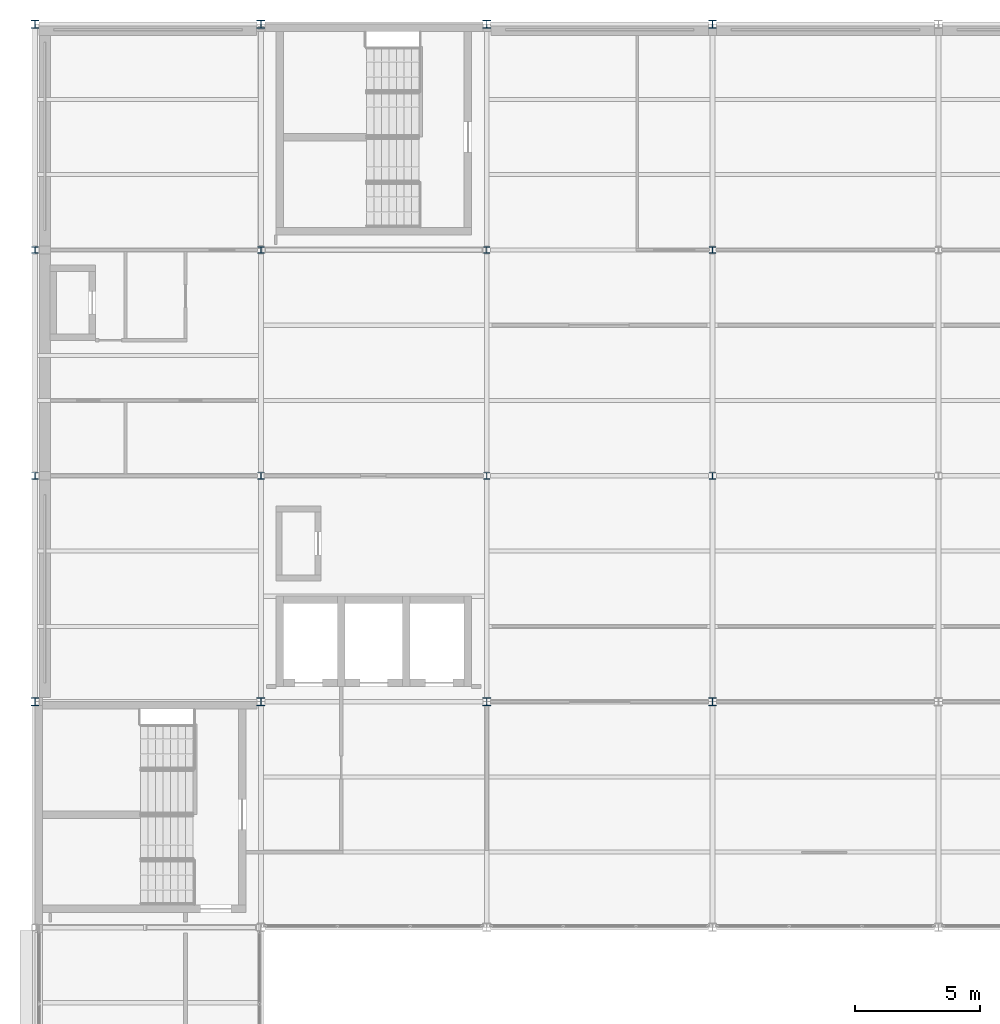
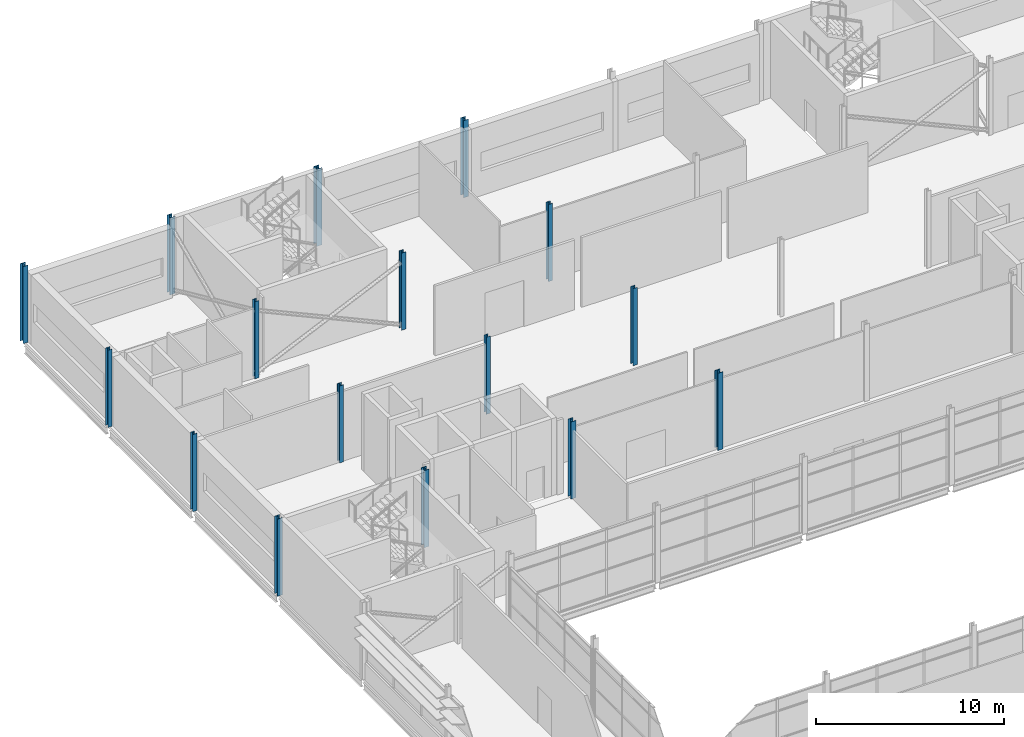
# One storey, part 5 of 61: 16 columns.
"""IFC4 building model written with IfcOpenShell, lengths in metres."""

import ifcopenshell
import ifcopenshell.guid

model = None  # the IFC model being written
_history = None  # IfcOwnerHistory: only IFC2X3 demands one
_inside = {}  # id of a spatial element -> (the spatial element, [elements in it])
_under = {}  # id of a project, library or spatial element -> (it, [spatial elements below it])
_declared = {}  # id of a project -> (the project, [libraries it declares])
_typed = {}  # id of a type object -> (the type object, [elements of that type])
_made_of = {}  # id of a material, layer set ... -> (it, [elements and type objects made of it])


def new_model(schema):
    """Start an empty IFC model of exactly this schema.

    Asked for "IFC4X3", IfcOpenShell would pick the latest addendum, in which some entities
    have other attributes; the version numbers below select the first issue.
    IFC2X3 requires an IfcOwnerHistory on every rooted entity: one is made here for all.
    """
    global model, _history
    if schema == "IFC4X3":
        model = ifcopenshell.file(schema_version=(4, 3, 0, 0))
    else:
        model = ifcopenshell.file(schema=schema)
    _inside.clear()
    _under.clear()
    _declared.clear()
    _typed.clear()
    _made_of.clear()
    _history = None
    if model.schema == "IFC2X3":
        org = make("IfcOrganization", Name="unknown")
        user = make(
            "IfcPersonAndOrganization",
            ThePerson=make("IfcPerson", FamilyName="unknown"),
            TheOrganization=org,
        )
        app = make(
            "IfcApplication",
            ApplicationDeveloper=org,
            Version="unknown",
            ApplicationFullName="unknown",
            ApplicationIdentifier="unknown",
        )
        _history = make(
            "IfcOwnerHistory",
            OwningUser=user,
            OwningApplication=app,
            ChangeAction="ADDED",
            CreationDate=0,
        )
    return model


def make(cls, **values):
    """One entity of the class cls with the attributes given. An attribute that is None is left unset."""
    return model.create_entity(
        cls, **{name: value for name, value in values.items() if value is not None}
    )


def rooted(cls, **values):
    """An entity with a GlobalId (a new one), such as an element, a storey or a relation."""
    return make(cls, GlobalId=ifcopenshell.guid.new(), OwnerHistory=_history, **values)


def si_unit(unit_type, name, prefix=None):
    """IfcSIUnit, for example si_unit("LENGTHUNIT", "METRE", prefix="MILLI")."""
    return make("IfcSIUnit", UnitType=unit_type, Prefix=prefix, Name=name)


def assignment(units):
    """IfcUnitAssignment: the units of a project."""
    return None if units is None else make("IfcUnitAssignment", Units=units)


def point(xyz):
    """IfcCartesianPoint."""
    return None if xyz is None else make("IfcCartesianPoint", Coordinates=xyz)


def direction(xyz):
    """IfcDirection."""
    return None if xyz is None else make("IfcDirection", DirectionRatios=xyz)


def frame(location, z_axis=None, x_axis=None):
    """IfcAxis2Placement3D, a coordinate frame: its origin and axes. An axis left out is left unset."""
    return make(
        "IfcAxis2Placement3D",
        Location=point(location),
        Axis=direction(z_axis),
        RefDirection=direction(x_axis),
    )


def frame_2d(location, x_axis=None):
    """IfcAxis2Placement2D, a coordinate frame in the plane: its origin and x axis."""
    return make(
        "IfcAxis2Placement2D", Location=point(location), RefDirection=direction(x_axis)
    )


def origin():
    """The frame at (0, 0, 0) with its axes left unset."""
    return frame((0.0, 0.0, 0.0))


def origin_2d():
    """The frame at (0, 0) in the plane with its x axis left unset."""
    return frame_2d((0.0, 0.0))


def place(relative_to, where):
    """IfcLocalPlacement: puts the frame where relative to a parent placement (None: the world)."""
    return make(
        "IfcLocalPlacement", PlacementRelTo=relative_to, RelativePlacement=where
    )


def context(
    kind, dimensions, precision=None, world=None, true_north=None, identifier=None
):
    """IfcGeometricRepresentationContext, for example the 3D "Model" context."""
    return make(
        "IfcGeometricRepresentationContext",
        ContextIdentifier=identifier,
        ContextType=kind,
        CoordinateSpaceDimension=dimensions,
        Precision=precision,
        WorldCoordinateSystem=world,
        TrueNorth=true_north,
    )


def subcontext(parent, identifier, kind, view, scale=None):
    """IfcGeometricRepresentationSubContext, for example "Body" below "Model"."""
    return make(
        "IfcGeometricRepresentationSubContext",
        ContextIdentifier=identifier,
        ContextType=kind,
        ParentContext=parent,
        TargetScale=scale,
        TargetView=view,
    )


def project(units=None, contexts=None):
    """IfcProject with its units and contexts."""
    return rooted(
        "IfcProject",
        Name="project",
        RepresentationContexts=contexts,
        UnitsInContext=assignment(units),
    )


def spatial(cls, under=None, at=None, **own):
    """A site, building, storey or space (cls), placed at a placement, below another one or the project."""
    s = rooted(cls, ObjectPlacement=at, **own)
    if under is not None:
        _under.setdefault(under.id(), (under, []))[1].append(s)
    return s


def profile(cls, at=None, kind="AREA", **sizes):
    """A parametric profile (cls). Its sizes go by their IFC names, for example OverallWidth=200.0."""
    return make(cls, ProfileType=kind, Position=at, **sizes)


def i_section(**sizes):
    """IfcIShapeProfileDef."""
    return profile("IfcIShapeProfileDef", **sizes)


def extrude(swept, where, along, depth):
    """IfcExtrudedAreaSolid: the profile swept, set in the frame where, extruded along a direction by depth."""
    return make(
        "IfcExtrudedAreaSolid",
        SweptArea=swept,
        Position=where,
        ExtrudedDirection=direction(along),
        Depth=depth,
    )


def shape(context_of_items, identifier, shape_type, items):
    """IfcShapeRepresentation: the items that make up one representation, for example the "Body"."""
    return make(
        "IfcShapeRepresentation",
        ContextOfItems=context_of_items,
        RepresentationIdentifier=identifier,
        RepresentationType=shape_type,
        Items=items,
    )


def material(Name=None, Category=None):
    """IfcMaterial."""
    return make("IfcMaterial", Name=Name, Category=Category)


def material_profile(
    of_material, cross_section, Name=None, Category=None, Priority=None
):
    """IfcMaterialProfile: a cross section and its material."""
    return make(
        "IfcMaterialProfile",
        Name=Name,
        Material=of_material,
        Profile=cross_section,
        Priority=Priority,
        Category=Category,
    )


def profile_set(profiles, Name=None, composite=None):
    """IfcMaterialProfileSet."""
    return make(
        "IfcMaterialProfileSet",
        Name=Name,
        MaterialProfiles=profiles,
        CompositeProfile=composite,
    )


def made_of(thing, what):
    """Note that an element or type object is made of a material, layer set ...; save() writes the relation."""
    if what is not None:
        _made_of.setdefault(what.id(), (what, []))[1].append(thing)
    return thing


def type_object(cls, material=None, **own):
    """A type object (cls), such as IfcWallType, which elements share."""
    return made_of(rooted(cls, **own), material)


def element(
    cls,
    number,
    at=None,
    inside=None,
    cuts=None,
    type_object=None,
    material=None,
    context=None,
    identifier="Body",
    shape_type=None,
    held_by="IfcProductDefinitionShape",
    body=None,
    shapes=None,
    **own,
):
    """One element of the class cls, such as IfcWall. Its Tag is "e" and its number.

    at: its placement. inside: the storey or other place that contains it. cuts: it is an
    opening in that element (IfcRelVoidsElement). A single representation is given by context,
    identifier, shape_type and body (its items); several are given by shapes. held_by: the class
    of the entity that holds the representations. save() writes the other relations.
    """
    e = rooted(cls, Tag="e%d" % number, ObjectPlacement=at, **own)
    if body is not None:
        shapes = [shape(context, identifier, shape_type, body)]
    if shapes is not None:
        e.Representation = make(held_by, Representations=shapes)
    if inside is not None:
        _inside.setdefault(inside.id(), (inside, []))[1].append(e)
    if cuts is not None:
        rooted(
            "IfcRelVoidsElement", RelatingBuildingElement=cuts, RelatedOpeningElement=e
        )
    if type_object is not None:
        _typed.setdefault(type_object.id(), (type_object, []))[1].append(e)
    return made_of(e, material)


def aggregate(whole, parts):
    """IfcRelAggregates: a whole, such as a stair, and the parts it consists of."""
    return rooted("IfcRelAggregates", RelatingObject=whole, RelatedObjects=parts)


def save(model, path):
    """Write the relations noted so far, then the file.

    IfcRelAggregates (storeys below a building ...), IfcRelContainedInSpatialStructure (elements
    in a storey), IfcRelDefinesByType, IfcRelAssociatesMaterial and IfcRelDeclares: one each for
    every whole, place, type object, material and project.
    """
    for whole, parts in _under.values():
        aggregate(whole, parts)
    for where, things in _inside.values():
        rooted(
            "IfcRelContainedInSpatialStructure",
            RelatedElements=things,
            RelatingStructure=where,
        )
    for kind, things in _typed.values():
        rooted("IfcRelDefinesByType", RelatedObjects=things, RelatingType=kind)
    for what, things in _made_of.values():
        rooted("IfcRelAssociatesMaterial", RelatedObjects=things, RelatingMaterial=what)
    for by, libraries in _declared.values():
        rooted("IfcRelDeclares", RelatingContext=by, RelatedDefinitions=libraries)
    model.write(path)


model = new_model("IFC4")

# Units and contexts
model_context = context("Model", 3, precision=1e-05, world=origin(), true_north=direction((0.0, 1.0)))
body_context = subcontext(model_context, "Body", "Model", "MODEL_VIEW")
ifc_project = project(units=[si_unit("LENGTHUNIT", "METRE"), si_unit("AREAUNIT", "SQUARE_METRE"), si_unit("VOLUMEUNIT", "CUBIC_METRE"), si_unit("PLANEANGLEUNIT", "RADIAN"), si_unit("MASSUNIT", "GRAM", prefix="KILO")], contexts=[model_context])

# Site, building, storey
site_placement = place(None, origin())
site = spatial("IfcSite", under=ifc_project, at=site_placement, CompositionType="ELEMENT")
building_placement = place(site_placement, origin())
building = spatial("IfcBuilding", under=site, at=building_placement, Name="Shorebreak Coast Museum", CompositionType="ELEMENT")
storey_placement = place(building_placement, frame((0.0, 0.0, 26.0)))
storey = spatial("IfcBuildingStorey", under=building, at=storey_placement, Name="L04", CompositionType="ELEMENT", Elevation=26.0)

# Columns
ifc_material_1 = material(Name="Steel Grade 300", Category="steel")
ifc_material_profile_1 = material_profile(ifc_material_1, i_section(OverallWidth=0.256103515625, OverallDepth=0.260009765625, WebThickness=0.010498046875, FlangeThickness=0.017333984375, FilletRadius=0.013916015625, at=origin_2d()), Name="250UC89.5")
ifc_profile_set_1 = profile_set([ifc_material_profile_1], Name="Steel Grade 300")
column_type_1 = type_object("IfcColumnType", Name="Column 250UC89.5", PredefinedType="COLUMN", material=ifc_profile_set_1)
for number, where, z_axis, x_axis, name in (
    (1, (54.0, 99.0, 0.0), (0.0, 0.0, 1.0), (1.0, 0.0, 0.0), "Column L04 7M"),
    (2, (63.0, 99.0, 0.0), (0.0, 0.0, 1.0), (1.0, 0.0, 0.0), "Column L04 8M"),
    (3, (72.0, 99.0, 0.0), (0.0, 0.0, 1.0), (1.0, 0.0, 0.0), "Column L04 9M"),
    (4, (81.0, 99.0, 0.0), (0.0, 0.0, 1.0), (1.0, 0.0, 0.0), "Column L04 10M"),
    (5, (54.0, 108.0, 0.0), (0.0, 0.0, 1.0), (1.0, 0.0, 0.0), "Column L04 7N"),
    (6, (63.0, 108.0, 0.0), (0.0, 0.0, 1.0), (1.0, 0.0, 0.0), "Column L04 8N"),
    (7, (72.0, 108.0, 0.0), (0.0, 0.0, 1.0), (1.0, 0.0, 0.0), "Column L04 9N"),
    (8, (81.0, 108.0, 0.0), (0.0, 0.0, 1.0), (1.0, 0.0, 0.0), "Column L04 10N"),
):
    element("IfcColumn", number, at=place(storey_placement, frame(where, z_axis=z_axis, x_axis=x_axis)), inside=storey, type_object=column_type_1, Name=name, PredefinedType="COLUMN", context=body_context, shape_type="SweptSolid", body=[
        extrude(i_section(OverallWidth=0.256103515625, OverallDepth=0.260009765625, WebThickness=0.010498046875, FlangeThickness=0.017333984375, FilletRadius=0.013916015625, at=origin_2d()), origin(), (0.0, 0.0, 1.0), 5.0),
    ])
ifc_material_2 = material(Name="Steel Grade 300", Category="steel")
ifc_material_profile_2 = material_profile(ifc_material_2, i_section(OverallWidth=0.31103515625, OverallDepth=0.3271484375, WebThickness=0.015625, FlangeThickness=0.02490234375, FilletRadius=0.0166015625, at=origin_2d()), Name="310UC158")
ifc_profile_set_2 = profile_set([ifc_material_profile_2], Name="Steel Grade 300")
column_type_2 = type_object("IfcColumnType", Name="Column 310UC158", PredefinedType="COLUMN", material=ifc_profile_set_2)
for number, where, z_axis, x_axis, name in (
    (9, (54.0, 90.0, 0.0), (0.0, 0.0, 1.0), (1.0, 0.0, 0.0), "Column L04 7L"),
    (10, (63.0, 90.0, 0.0), (0.0, 0.0, 1.0), (1.0, 0.0, 0.0), "Column L04 8L"),
    (11, (72.0, 90.0, 0.0), (0.0, 0.0, 1.0), (1.0, 0.0, 0.0), "Column L04 9L"),
    (12, (81.0, 90.0, 0.0), (0.0, 0.0, 1.0), (1.0, 0.0, 0.0), "Column L04 10L"),
    (13, (54.0, 117.0, 0.0), (0.0, 0.0, 1.0), (1.0, 0.0, 0.0), "Column L04 7P"),
    (14, (63.0, 117.0, 0.0), (0.0, 0.0, 1.0), (1.0, 0.0, 0.0), "Column L04 8P"),
    (15, (72.0, 117.0, 0.0), (0.0, 0.0, 1.0), (1.0, 0.0, 0.0), "Column L04 9P"),
    (16, (81.0, 117.0, 0.0), (0.0, 0.0, 1.0), (1.0, 0.0, 0.0), "Column L04 10P"),
):
    element("IfcColumn", number, at=place(storey_placement, frame(where, z_axis=z_axis, x_axis=x_axis)), inside=storey, type_object=column_type_2, Name=name, PredefinedType="COLUMN", context=body_context, shape_type="SweptSolid", body=[
        extrude(i_section(OverallWidth=0.31103515625, OverallDepth=0.3271484375, WebThickness=0.015625, FlangeThickness=0.02490234375, FilletRadius=0.0166015625, at=origin_2d()), origin(), (0.0, 0.0, 1.0), 5.0),
    ])

save(model, "model.ifc")
